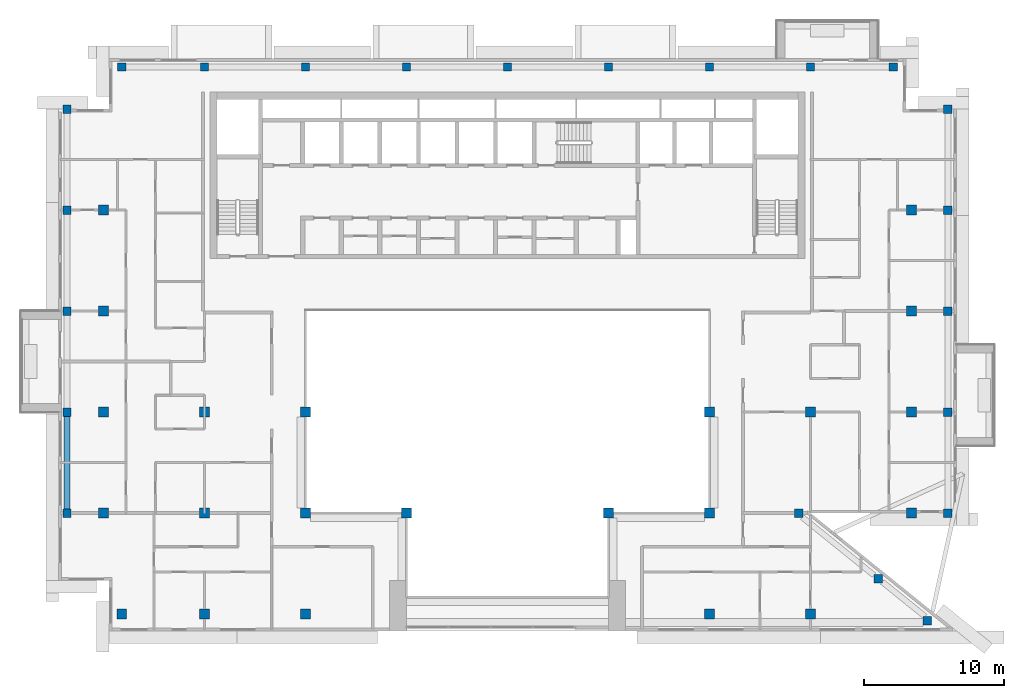
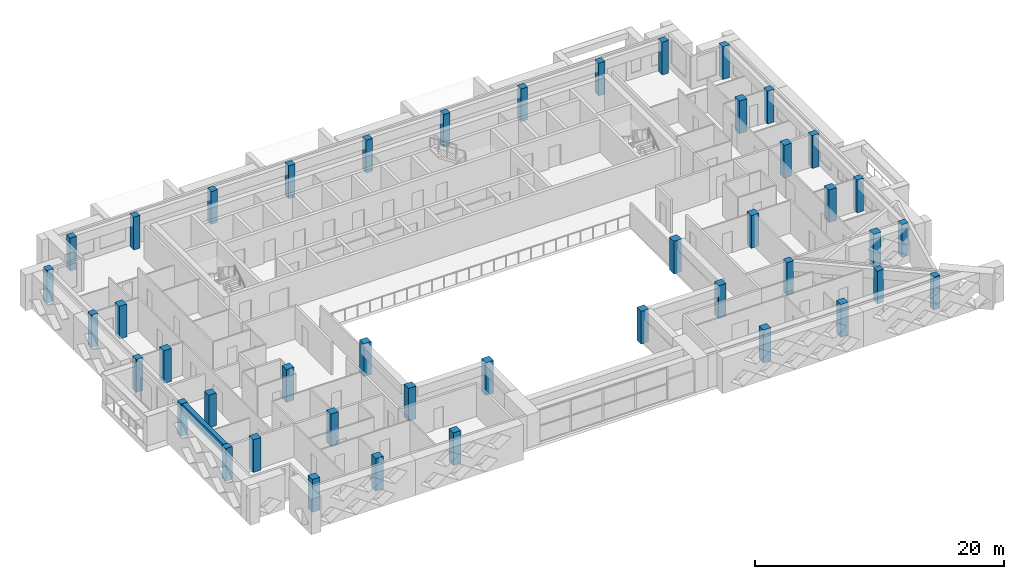
# One storey, part 1 of 18: 44 columns, 1 beam.
"""IFC4 building model written with IfcOpenShell, lengths in metres."""

from ifc_helpers import new_model, si_unit, direction, frame, origin, origin_2d, place, context, subcontext, project, spatial, rectangle, extrude, source, transform, mapped, material, material_profile, profile_set, type_object, element, save


model = new_model("IFC4")

# Units and contexts
model_context = context("Model", 3, precision=1e-05, world=origin(), true_north=direction((0.0, 1.0)))
body_context = subcontext(model_context, "Body", "Model", "MODEL_VIEW")
ifc_project = project(units=[si_unit("LENGTHUNIT", "METRE"), si_unit("AREAUNIT", "SQUARE_METRE"), si_unit("VOLUMEUNIT", "CUBIC_METRE"), si_unit("PLANEANGLEUNIT", "RADIAN"), si_unit("MASSUNIT", "GRAM", prefix="KILO")], contexts=[model_context])

# Site, building, storey
site_placement = place(None, origin())
site = spatial("IfcSite", under=ifc_project, at=site_placement, CompositionType="ELEMENT")
building_placement = place(site_placement, origin())
building = spatial("IfcBuilding", under=site, at=building_placement, Name="Saffron Iwan Residences", CompositionType="ELEMENT")
storey_placement = place(building_placement, frame((0.0, 0.0, 260.5)))
storey = spatial("IfcBuildingStorey", under=building, at=storey_placement, Name="L70", CompositionType="ELEMENT", Elevation=260.5)

# Columns
ifc_material = material(Name="Concrete C40/50", Category="concrete")
ifc_material_profile_1 = material_profile(ifc_material, rectangle(XDim=0.699951171875, YDim=0.699951171875, at=origin_2d()), Name="RC 700x700")
ifc_profile_set_1 = profile_set([ifc_material_profile_1], Name="Concrete C40/50")
column_type_1 = type_object("IfcColumnType", Name="COL RC 700x700 C40/50 3220 HIGH", PredefinedType="COLUMN", material=ifc_profile_set_1)
shared_shape_1 = source(origin(), body_context, "Body", "SweptSolid", [
    extrude(rectangle(XDim=0.699951171875, YDim=0.699951171875, at=origin_2d()), origin(), (0.0, 0.0, 1.0), 3.219970703125),
])
for number, where, z_axis, x_axis, name in (
    (1, (22.89990234375, 40.800048828125, 0.0), (0.0, 0.0, 1.0), (1.0, 0.0, 0.0), "Column C050"),
    (2, (28.800048828125, 40.800048828125, 0.0), (0.0, 0.0, 1.0), (1.0, 0.0, 0.0), "Column C051"),
    (3, (36.0, 40.800048828125, 0.0), (0.0, 0.0, 1.0), (1.0, 0.0, 0.0), "Column C052"),
    (4, (64.800048828125, 40.800048828125, 0.0), (0.0, 0.0, 1.0), (1.0, 0.0, 0.0), "Column C055"),
    (5, (72.0, 40.800048828125, 0.0), (0.0, 0.0, 1.0), (1.0, 0.0, 0.0), "Column C056"),
    (6, (21.60009765625, 48.0, 0.0), (0.0, 0.0, 1.0), (1.0, 0.0, 0.0), "Column C063"),
    (7, (28.800048828125, 48.0, 0.0), (0.0, 0.0, 1.0), (1.0, 0.0, 0.0), "Column C064"),
    (8, (36.0, 48.0, 0.0), (0.0, 0.0, 1.0), (1.0, 0.0, 0.0), "Column C065"),
    (9, (43.199951171875, 48.0, 0.0), (0.0, 0.0, 1.0), (1.0, 0.0, 0.0), "Column C066"),
    (10, (57.60009765625, 48.0, 0.0), (0.0, 0.0, 1.0), (1.0, 0.0, 0.0), "Column C068"),
    (11, (64.800048828125, 48.0, 0.0), (0.0, 0.0, 1.0), (1.0, 0.0, 0.0), "Column C069"),
    (12, (79.199951171875, 48.0, 0.0), (0.0, 0.0, 1.0), (1.0, 0.0, 0.0), "Column C072"),
    (13, (21.60009765625, 55.199951171875, 0.0), (0.0, 0.0, 1.0), (1.0, 0.0, 0.0), "Column C079"),
    (14, (28.800048828125, 55.199951171875, 0.0), (0.0, 0.0, 1.0), (1.0, 0.0, 0.0), "Column C080"),
    (15, (36.0, 55.199951171875, 0.0), (0.0, 0.0, 1.0), (1.0, 0.0, 0.0), "Column C081"),
    (16, (64.800048828125, 55.199951171875, 0.0), (0.0, 0.0, 1.0), (1.0, 0.0, 0.0), "Column C082"),
    (17, (72.0, 55.199951171875, 0.0), (0.0, 0.0, 1.0), (1.0, 0.0, 0.0), "Column C083"),
    (18, (79.199951171875, 55.199951171875, 0.0), (0.0, 0.0, 1.0), (1.0, 0.0, 0.0), "Column C084"),
    (19, (21.60009765625, 62.39990234375, 0.0), (0.0, 0.0, 1.0), (1.0, 0.0, 0.0), "Column C091"),
    (20, (79.199951171875, 62.39990234375, 0.0), (0.0, 0.0, 1.0), (1.0, 0.0, 0.0), "Column C092"),
    (21, (21.60009765625, 69.60009765625, 0.0), (0.0, 0.0, 1.0), (1.0, 0.0, 0.0), "Column C099"),
    (22, (79.199951171875, 69.60009765625, 0.0), (0.0, 0.0, 1.0), (1.0, 0.0, 0.0), "Column C100"),
):
    element("IfcColumn", number, at=place(storey_placement, frame(where, z_axis=z_axis, x_axis=x_axis)), inside=storey, type_object=column_type_1, Name=name, PredefinedType="COLUMN", context=body_context, shape_type="MappedRepresentation", body=[
        mapped(shared_shape_1, transform((0.0, 0.0, 0.0))),
    ])
ifc_material_profile_2 = material_profile(ifc_material, rectangle(XDim=0.60009765625, YDim=0.60009765625, at=origin_2d()), Name="RC 600x600")
ifc_profile_set_2 = profile_set([ifc_material_profile_2], Name="Concrete C40/50")
column_type_2 = type_object("IfcColumnType", Name="COL RC 600x600 C40/50 3220 HIGH", PredefinedType="COLUMN", material=ifc_profile_set_2)
shared_shape_2 = source(origin(), body_context, "Body", "SweptSolid", [
    extrude(rectangle(XDim=0.60009765625, YDim=0.60009765625, at=origin_2d()), origin(), (0.0, 0.0, 1.0), 3.219970703125),
])
for number, where, z_axis, x_axis, name in (
    (23, (80.32568359375, 40.3330078125, 0.0), (0.0, 0.0, 1.0), (1.0, 0.0, 0.0), "Column C046"),
    (24, (76.822998046875, 43.333251953125, 0.0), (0.0, 0.0, 1.0), (1.0, 0.0, 0.0), "Column C057"),
    (25, (19.0, 48.0, 0.0), (0.0, 0.0, 1.0), (1.0, 0.0, 0.0), "Column C062"),
    (26, (71.14990234375, 48.0, 0.0), (0.0, 0.0, 1.0), (1.0, 0.0, 0.0), "Column C070"),
    (27, (81.800048828125, 48.0, 0.0), (0.0, 0.0, 1.0), (1.0, 0.0, 0.0), "Column C073"),
    (28, (19.0, 55.199951171875, 0.0), (0.0, 0.0, 1.0), (1.0, 0.0, 0.0), "Column C078"),
    (29, (81.800048828125, 55.199951171875, 0.0), (0.0, 0.0, 1.0), (1.0, 0.0, 0.0), "Column C085"),
    (30, (19.0, 62.39990234375, 0.0), (0.0, 0.0, 1.0), (1.0, 0.0, 0.0), "Column C090"),
    (31, (81.800048828125, 62.39990234375, 0.0), (0.0, 0.0, 1.0), (1.0, 0.0, 0.0), "Column C093"),
    (32, (19.0, 69.60009765625, 0.0), (0.0, 0.0, 1.0), (1.0, 0.0, 0.0), "Column C098"),
    (33, (81.800048828125, 69.60009765625, 0.0), (0.0, 0.0, 1.0), (1.0, 0.0, 0.0), "Column C101"),
    (34, (19.0, 76.800048828125, 0.0), (0.0, 0.0, 1.0), (1.0, 0.0, 0.0), "Column C106"),
    (35, (81.800048828125, 76.800048828125, 0.0), (0.0, 0.0, 1.0), (1.0, 0.0, 0.0), "Column C109"),
    (36, (22.89990234375, 79.800048828125, 0.0), (0.0, 0.0, 1.0), (1.0, 0.0, 0.0), "Column C114"),
    (37, (28.800048828125, 79.800048828125, 0.0), (0.0, 0.0, 1.0), (1.0, 0.0, 0.0), "Column C115"),
    (38, (36.0, 79.800048828125, 0.0), (0.0, 0.0, 1.0), (1.0, 0.0, 0.0), "Column C116"),
    (39, (43.199951171875, 79.800048828125, 0.0), (0.0, 0.0, 1.0), (1.0, 0.0, 0.0), "Column C117"),
    (40, (50.39990234375, 79.800048828125, 0.0), (0.0, 0.0, 1.0), (1.0, 0.0, 0.0), "Column C118"),
    (41, (57.60009765625, 79.800048828125, 0.0), (0.0, 0.0, 1.0), (1.0, 0.0, 0.0), "Column C119"),
    (42, (64.800048828125, 79.800048828125, 0.0), (0.0, 0.0, 1.0), (1.0, 0.0, 0.0), "Column C120"),
    (43, (72.0, 79.800048828125, 0.0), (0.0, 0.0, 1.0), (1.0, 0.0, 0.0), "Column C121"),
    (44, (77.89990234375, 79.800048828125, 0.0), (0.0, 0.0, 1.0), (1.0, 0.0, 0.0), "Column C122"),
):
    element("IfcColumn", number, at=place(storey_placement, frame(where, z_axis=z_axis, x_axis=x_axis)), inside=storey, type_object=column_type_2, Name=name, PredefinedType="COLUMN", context=body_context, shape_type="MappedRepresentation", body=[
        mapped(shared_shape_2, transform((0.0, 0.0, 0.0))),
    ])

# Beam
ifc_material_profile_3 = material_profile(ifc_material, rectangle(XDim=0.39990234375, YDim=0.89990234375, at=origin_2d()), Name="RC 400x900")
ifc_profile_set_3 = profile_set([ifc_material_profile_3], Name="Concrete C40/50")
beam_type = type_object("IfcBeamType", Name="SPANDREL BEAM RC 400x900 C40/50 TOP 3220", PredefinedType="SPANDREL", material=ifc_profile_set_3)
shared_shape_3 = source(origin(), body_context, "Body", "SweptSolid", [
    extrude(rectangle(XDim=0.39990234375, YDim=0.89990234375, at=origin_2d()), origin(), (0.0, 0.0, 1.0), 6.599853515625),
])
beam_placement = place(storey_placement, frame((19.0, 48.300048828125, 2.77001953125), z_axis=(0.0, 1.0, 0.0), x_axis=(-1.0, 0.0, 0.0)))
element("IfcBeam", 45, at=beam_placement, inside=storey, type_object=beam_type, Name="Spandrel beam", PredefinedType="SPANDREL", context=body_context, shape_type="MappedRepresentation", body=[
    mapped(shared_shape_3, transform((0.0, 0.0, 0.0))),
])

save(model, "model.ifc")
